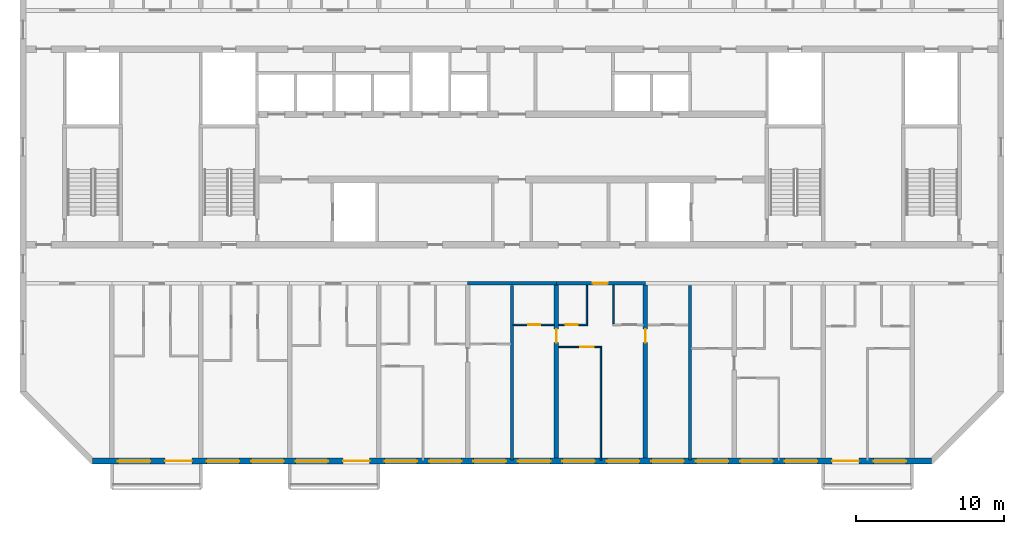
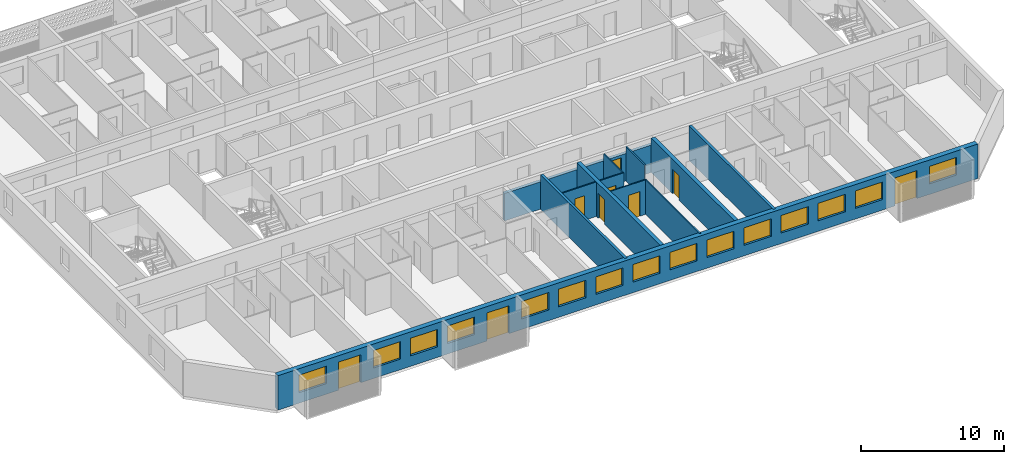
# One storey, part 4 of 26: 15 windows, 13 walls, 9 doors, 24 openings.
"""IFC4 building model written with IfcOpenShell, lengths in metres."""

import ifcopenshell
import ifcopenshell.guid

model = None  # the IFC model being written
_history = None  # IfcOwnerHistory: only IFC2X3 demands one
_inside = {}  # id of a spatial element -> (the spatial element, [elements in it])
_under = {}  # id of a project, library or spatial element -> (it, [spatial elements below it])
_declared = {}  # id of a project -> (the project, [libraries it declares])
_typed = {}  # id of a type object -> (the type object, [elements of that type])
_made_of = {}  # id of a material, layer set ... -> (it, [elements and type objects made of it])


def new_model(schema):
    """Start an empty IFC model of exactly this schema.

    Asked for "IFC4X3", IfcOpenShell would pick the latest addendum, in which some entities
    have other attributes; the version numbers below select the first issue.
    IFC2X3 requires an IfcOwnerHistory on every rooted entity: one is made here for all.
    """
    global model, _history
    if schema == "IFC4X3":
        model = ifcopenshell.file(schema_version=(4, 3, 0, 0))
    else:
        model = ifcopenshell.file(schema=schema)
    _inside.clear()
    _under.clear()
    _declared.clear()
    _typed.clear()
    _made_of.clear()
    _history = None
    if model.schema == "IFC2X3":
        org = make("IfcOrganization", Name="unknown")
        user = make(
            "IfcPersonAndOrganization",
            ThePerson=make("IfcPerson", FamilyName="unknown"),
            TheOrganization=org,
        )
        app = make(
            "IfcApplication",
            ApplicationDeveloper=org,
            Version="unknown",
            ApplicationFullName="unknown",
            ApplicationIdentifier="unknown",
        )
        _history = make(
            "IfcOwnerHistory",
            OwningUser=user,
            OwningApplication=app,
            ChangeAction="ADDED",
            CreationDate=0,
        )
    return model


def make(cls, **values):
    """One entity of the class cls with the attributes given. An attribute that is None is left unset."""
    return model.create_entity(
        cls, **{name: value for name, value in values.items() if value is not None}
    )


def rooted(cls, **values):
    """An entity with a GlobalId (a new one), such as an element, a storey or a relation."""
    return make(cls, GlobalId=ifcopenshell.guid.new(), OwnerHistory=_history, **values)


def si_unit(unit_type, name, prefix=None):
    """IfcSIUnit, for example si_unit("LENGTHUNIT", "METRE", prefix="MILLI")."""
    return make("IfcSIUnit", UnitType=unit_type, Prefix=prefix, Name=name)


def assignment(units):
    """IfcUnitAssignment: the units of a project."""
    return None if units is None else make("IfcUnitAssignment", Units=units)


def point(xyz):
    """IfcCartesianPoint."""
    return None if xyz is None else make("IfcCartesianPoint", Coordinates=xyz)


def direction(xyz):
    """IfcDirection."""
    return None if xyz is None else make("IfcDirection", DirectionRatios=xyz)


def frame(location, z_axis=None, x_axis=None):
    """IfcAxis2Placement3D, a coordinate frame: its origin and axes. An axis left out is left unset."""
    return make(
        "IfcAxis2Placement3D",
        Location=point(location),
        Axis=direction(z_axis),
        RefDirection=direction(x_axis),
    )


def frame_2d(location, x_axis=None):
    """IfcAxis2Placement2D, a coordinate frame in the plane: its origin and x axis."""
    return make(
        "IfcAxis2Placement2D", Location=point(location), RefDirection=direction(x_axis)
    )


def origin():
    """The frame at (0, 0, 0) with its axes left unset."""
    return frame((0.0, 0.0, 0.0))


def place(relative_to, where):
    """IfcLocalPlacement: puts the frame where relative to a parent placement (None: the world)."""
    return make(
        "IfcLocalPlacement", PlacementRelTo=relative_to, RelativePlacement=where
    )


def context(
    kind, dimensions, precision=None, world=None, true_north=None, identifier=None
):
    """IfcGeometricRepresentationContext, for example the 3D "Model" context."""
    return make(
        "IfcGeometricRepresentationContext",
        ContextIdentifier=identifier,
        ContextType=kind,
        CoordinateSpaceDimension=dimensions,
        Precision=precision,
        WorldCoordinateSystem=world,
        TrueNorth=true_north,
    )


def subcontext(parent, identifier, kind, view, scale=None):
    """IfcGeometricRepresentationSubContext, for example "Body" below "Model"."""
    return make(
        "IfcGeometricRepresentationSubContext",
        ContextIdentifier=identifier,
        ContextType=kind,
        ParentContext=parent,
        TargetScale=scale,
        TargetView=view,
    )


def project(units=None, contexts=None):
    """IfcProject with its units and contexts."""
    return rooted(
        "IfcProject",
        Name="project",
        RepresentationContexts=contexts,
        UnitsInContext=assignment(units),
    )


def spatial(cls, under=None, at=None, **own):
    """A site, building, storey or space (cls), placed at a placement, below another one or the project."""
    s = rooted(cls, ObjectPlacement=at, **own)
    if under is not None:
        _under.setdefault(under.id(), (under, []))[1].append(s)
    return s


def profile(cls, at=None, kind="AREA", **sizes):
    """A parametric profile (cls). Its sizes go by their IFC names, for example OverallWidth=200.0."""
    return make(cls, ProfileType=kind, Position=at, **sizes)


def rectangle(**sizes):
    """IfcRectangleProfileDef."""
    return profile("IfcRectangleProfileDef", **sizes)


def extrude(swept, where, along, depth):
    """IfcExtrudedAreaSolid: the profile swept, set in the frame where, extruded along a direction by depth."""
    return make(
        "IfcExtrudedAreaSolid",
        SweptArea=swept,
        Position=where,
        ExtrudedDirection=direction(along),
        Depth=depth,
    )


def shape(context_of_items, identifier, shape_type, items):
    """IfcShapeRepresentation: the items that make up one representation, for example the "Body"."""
    return make(
        "IfcShapeRepresentation",
        ContextOfItems=context_of_items,
        RepresentationIdentifier=identifier,
        RepresentationType=shape_type,
        Items=items,
    )


def material(Name=None, Category=None):
    """IfcMaterial."""
    return make("IfcMaterial", Name=Name, Category=Category)


def layer(
    of_material, thickness, ventilated=None, Name=None, Category=None, Priority=None
):
    """IfcMaterialLayer: one layer of a wall or slab, of a material (None: an air gap)."""
    return make(
        "IfcMaterialLayer",
        Material=of_material,
        LayerThickness=thickness,
        IsVentilated=ventilated,
        Name=Name,
        Category=Category,
        Priority=Priority,
    )


def layer_set(layers, Name=None):
    """IfcMaterialLayerSet."""
    return make("IfcMaterialLayerSet", MaterialLayers=layers, LayerSetName=Name)


def made_of(thing, what):
    """Note that an element or type object is made of a material, layer set ...; save() writes the relation."""
    if what is not None:
        _made_of.setdefault(what.id(), (what, []))[1].append(thing)
    return thing


def type_object(cls, material=None, **own):
    """A type object (cls), such as IfcWallType, which elements share."""
    return made_of(rooted(cls, **own), material)


def element(
    cls,
    number,
    at=None,
    inside=None,
    cuts=None,
    type_object=None,
    material=None,
    context=None,
    identifier="Body",
    shape_type=None,
    held_by="IfcProductDefinitionShape",
    body=None,
    shapes=None,
    **own,
):
    """One element of the class cls, such as IfcWall. Its Tag is "e" and its number.

    at: its placement. inside: the storey or other place that contains it. cuts: it is an
    opening in that element (IfcRelVoidsElement). A single representation is given by context,
    identifier, shape_type and body (its items); several are given by shapes. held_by: the class
    of the entity that holds the representations. save() writes the other relations.
    """
    e = rooted(cls, Tag="e%d" % number, ObjectPlacement=at, **own)
    if body is not None:
        shapes = [shape(context, identifier, shape_type, body)]
    if shapes is not None:
        e.Representation = make(held_by, Representations=shapes)
    if inside is not None:
        _inside.setdefault(inside.id(), (inside, []))[1].append(e)
    if cuts is not None:
        rooted(
            "IfcRelVoidsElement", RelatingBuildingElement=cuts, RelatedOpeningElement=e
        )
    if type_object is not None:
        _typed.setdefault(type_object.id(), (type_object, []))[1].append(e)
    return made_of(e, material)


def fill(opening, filler):
    """IfcRelFillsElement: the door or window that sits in an opening."""
    return rooted(
        "IfcRelFillsElement",
        RelatingOpeningElement=opening,
        RelatedBuildingElement=filler,
    )


def aggregate(whole, parts):
    """IfcRelAggregates: a whole, such as a stair, and the parts it consists of."""
    return rooted("IfcRelAggregates", RelatingObject=whole, RelatedObjects=parts)


def save(model, path):
    """Write the relations noted so far, then the file.

    IfcRelAggregates (storeys below a building ...), IfcRelContainedInSpatialStructure (elements
    in a storey), IfcRelDefinesByType, IfcRelAssociatesMaterial and IfcRelDeclares: one each for
    every whole, place, type object, material and project.
    """
    for whole, parts in _under.values():
        aggregate(whole, parts)
    for where, things in _inside.values():
        rooted(
            "IfcRelContainedInSpatialStructure",
            RelatedElements=things,
            RelatingStructure=where,
        )
    for kind, things in _typed.values():
        rooted("IfcRelDefinesByType", RelatedObjects=things, RelatingType=kind)
    for what, things in _made_of.values():
        rooted("IfcRelAssociatesMaterial", RelatedObjects=things, RelatingMaterial=what)
    for by, libraries in _declared.values():
        rooted("IfcRelDeclares", RelatingContext=by, RelatedDefinitions=libraries)
    model.write(path)


model = new_model("IFC4")

# Units and contexts
model_context = context("Model", 3, precision=1e-05, world=origin(), true_north=direction((0.0, 1.0)))
body_context = subcontext(model_context, "Body", "Model", "MODEL_VIEW")
ifc_project = project(units=[si_unit("LENGTHUNIT", "METRE"), si_unit("AREAUNIT", "SQUARE_METRE"), si_unit("VOLUMEUNIT", "CUBIC_METRE"), si_unit("PLANEANGLEUNIT", "RADIAN"), si_unit("MASSUNIT", "GRAM", prefix="KILO")], contexts=[model_context])

# Site, building, storey
site_placement = place(None, origin())
site = spatial("IfcSite", under=ifc_project, at=site_placement, CompositionType="ELEMENT")
building_placement = place(site_placement, origin())
building = spatial("IfcBuilding", under=site, at=building_placement, Name="Poui Terraces", CompositionType="ELEMENT")
storey_placement = place(building_placement, frame((0.0, 0.0, 162.0)))
storey = spatial("IfcBuildingStorey", under=building, at=storey_placement, Name="L45", CompositionType="ELEMENT", Elevation=162.0)

# Wall
ifc_material_1 = material(Name="Concrete 65 MPa", Category="concrete")
ifc_layer_1 = layer(ifc_material_1, 0.25)
ifc_layer_set_1 = layer_set([ifc_layer_1], Name="Concrete 65 MPa")
wall_type_1 = type_object("IfcWallType", Name="CORRIDOR WALL 250 65MPa", PredefinedType="SHEAR", material=ifc_layer_set_1)
wall_1_placement = place(storey_placement, frame((48.0, 12.0, 0.0), z_axis=(0.0, 0.0, 1.0), x_axis=(1.0, 0.0, 0.0)))
element("IfcWall", 1, at=wall_1_placement, inside=storey, type_object=wall_type_1, Name="CORRIDOR WALL LINE B BAY 6", PredefinedType="SHEAR", context=body_context, shape_type="SweptSolid", body=[
    extrude(rectangle(XDim=6.0, YDim=0.25, at=frame_2d((3.0, 0.0))), origin(), (0.0, 0.0, 1.0), 2.35009765625),
])

# Wall, opening, door
wall_2_placement = place(storey_placement, frame((54.0, 12.0, 0.0), z_axis=(0.0, 0.0, 1.0), x_axis=(1.0, 0.0, 0.0)))
wall_2 = element("IfcWall", 2, at=wall_2_placement, inside=storey, type_object=wall_type_1, Name="CORRIDOR WALL LINE B BAY 7", PredefinedType="SHEAR", context=body_context, shape_type="SweptSolid", body=[
    extrude(rectangle(XDim=6.0, YDim=0.25, at=frame_2d((3.0, 0.0))), origin(), (0.0, 0.0, 1.0), 2.35009765625),
])
opening_1_placement = place(wall_2_placement, frame((2.449951171875, 0.0, 0.0)))
opening_1 = element("IfcOpeningElement", 3, at=opening_1_placement, cuts=wall_2, Name="Opening FD30S", PredefinedType="OPENING", context=body_context, shape_type="SweptSolid", body=[
    extrude(rectangle(XDim=1.0, YDim=2.10009765625, at=frame_2d((0.5, 1.050048828125))), frame((0.0, 0.135009765625, 0.0), z_axis=(0.0, -1.0, 0.0), x_axis=(1.0, 0.0, 0.0)), (0.0, 0.0, 1.0), 0.27001953125),
])
ifc_material_2 = material(Name="Steel fire door", Category="steel")
door_type_1 = type_object("IfcDoorType", Name="FLAT ENTRANCE DOOR 1000 X 2100", OperationType="NOTDEFINED", PredefinedType="DOOR", material=ifc_material_2)
door_1_placement = place(opening_1_placement, frame((1.0, 0.0, 0.0), z_axis=(0.0, 0.0, 1.0), x_axis=(-1.0, 0.0, 0.0)))
door_1 = element("IfcDoor", 4, at=door_1_placement, inside=storey, type_object=door_type_1, Name="FLAT ENTRANCE DOOR 081", OperationType="SINGLE_SWING_RIGHT", OverallHeight=2.10009765625, OverallWidth=1.0, PredefinedType="DOOR", context=body_context, shape_type="SweptSolid", body=[
    extrude(rectangle(XDim=1.0, YDim=2.10009765625, at=frame_2d((0.5, 1.050048828125))), frame((0.0, 0.02490234375, 0.0), z_axis=(0.0, -1.0, 0.0), x_axis=(1.0, 0.0, 0.0)), (0.0, 0.0, 1.0), 0.050048828125),
])
fill(opening_1, door_1)

ifc_layer_2 = layer(ifc_material_1, 0.300048828125)
ifc_layer_set_2 = layer_set([ifc_layer_2], Name="Concrete 65 MPa")
wall_type_2 = type_object("IfcWallType", Name="CROSS WALL 300 65MPa", PredefinedType="SHEAR", material=ifc_layer_set_2)
wall_3_placement = place(storey_placement, frame((54.0, 0.199951171875, 0.0), z_axis=(0.0, 0.0, 1.0), x_axis=(0.0, 1.0, 0.0)))
wall_3 = element("IfcWall", 5, at=wall_3_placement, inside=storey, type_object=wall_type_2, Name="CROSS WALL LINE 10 SOUTH", PredefinedType="SHEAR", context=body_context, shape_type="SweptSolid", body=[
    extrude(rectangle(XDim=11.675048828125, YDim=0.300048828125, at=frame_2d((5.83740234375, 0.0))), origin(), (0.0, 0.0, 1.0), 2.949951171875),
])
opening_2_placement = place(wall_3_placement, frame((7.800048828125, 0.0, 0.0)))
opening_2 = element("IfcOpeningElement", 6, at=opening_2_placement, cuts=wall_3, Name="Opening D90", PredefinedType="OPENING", context=body_context, shape_type="SweptSolid", body=[
    extrude(rectangle(XDim=0.89990234375, YDim=2.10009765625, at=frame_2d((0.449951171875, 1.050048828125))), frame((0.0, 0.16015625, 0.0), z_axis=(0.0, -1.0, 0.0), x_axis=(1.0, 0.0, 0.0)), (0.0, 0.0, 1.0), 0.320068359375),
])
ifc_material_3 = material(Name="Solid core timber door", Category="wood")
door_type_2 = type_object("IfcDoorType", Name="INTERNAL DOOR 900 X 2100", OperationType="NOTDEFINED", PredefinedType="DOOR", material=ifc_material_3)
door_2_placement = place(opening_2_placement, origin())
door_2 = element("IfcDoor", 7, at=door_2_placement, inside=storey, type_object=door_type_2, Name="INTERNAL DOOR 078", OperationType="SINGLE_SWING_RIGHT", OverallHeight=2.10009765625, OverallWidth=0.89990234375, PredefinedType="DOOR", context=body_context, shape_type="SweptSolid", body=[
    extrude(rectangle(XDim=0.89990234375, YDim=2.10009765625, at=frame_2d((0.449951171875, 1.050048828125))), frame((0.0, 0.02490234375, 0.0), z_axis=(0.0, -1.0, 0.0), x_axis=(1.0, 0.0, 0.0)), (0.0, 0.0, 1.0), 0.050048828125),
])
fill(opening_2, door_2)

wall_4_placement = place(storey_placement, frame((60.0, 0.199951171875, 0.0), z_axis=(0.0, 0.0, 1.0), x_axis=(0.0, 1.0, 0.0)))
wall_4 = element("IfcWall", 8, at=wall_4_placement, inside=storey, type_object=wall_type_2, Name="CROSS WALL LINE 11 SOUTH", PredefinedType="SHEAR", context=body_context, shape_type="SweptSolid", body=[
    extrude(rectangle(XDim=11.675048828125, YDim=0.300048828125, at=frame_2d((5.83740234375, 0.0))), origin(), (0.0, 0.0, 1.0), 2.949951171875),
])
opening_3_placement = place(wall_4_placement, frame((7.800048828125, 0.0, 0.0)))
opening_3 = element("IfcOpeningElement", 9, at=opening_3_placement, cuts=wall_4, Name="Opening D90", PredefinedType="OPENING", context=body_context, shape_type="SweptSolid", body=[
    extrude(rectangle(XDim=0.89990234375, YDim=2.10009765625, at=frame_2d((0.449951171875, 1.050048828125))), frame((0.0, 0.16015625, 0.0), z_axis=(0.0, -1.0, 0.0), x_axis=(1.0, 0.0, 0.0)), (0.0, 0.0, 1.0), 0.320068359375),
])
door_3_placement = place(opening_3_placement, frame((0.89990234375, 0.0, 0.0), z_axis=(0.0, 0.0, 1.0), x_axis=(-1.0, 0.0, 0.0)))
door_3 = element("IfcDoor", 10, at=door_3_placement, inside=storey, type_object=door_type_2, Name="INTERNAL DOOR 083", OperationType="SINGLE_SWING_LEFT", OverallHeight=2.10009765625, OverallWidth=0.89990234375, PredefinedType="DOOR", context=body_context, shape_type="SweptSolid", body=[
    extrude(rectangle(XDim=0.89990234375, YDim=2.10009765625, at=frame_2d((0.449951171875, 1.050048828125))), frame((0.0, 0.02490234375, 0.0), z_axis=(0.0, -1.0, 0.0), x_axis=(1.0, 0.0, 0.0)), (0.0, 0.0, 1.0), 0.050048828125),
])
fill(opening_3, door_3)

# Wall, openings, doors, windows
ifc_material_4 = material(Name="Precast concrete 40 MPa", Category="concrete")
ifc_layer_3 = layer(ifc_material_4, 0.39990234375)
ifc_layer_set_3 = layer_set([ifc_layer_3], Name="Precast concrete 40 MPa")
wall_type_3 = type_object("IfcWallType", Name="EXTERNAL WALL 400", PredefinedType="STANDARD", material=ifc_layer_set_3)
wall_5_placement = place(storey_placement, frame((22.682861328125, 0.0, 0.0), z_axis=(0.0, 0.0, 1.0), x_axis=(1.0, 0.0, 0.0)))
wall_5 = element("IfcWall", 11, at=wall_5_placement, inside=storey, type_object=wall_type_3, Name="EXTERNAL WALL S", PredefinedType="STANDARD", context=body_context, shape_type="SweptSolid", body=[
    extrude(rectangle(XDim=56.63427734375, YDim=0.39990234375, at=frame_2d((28.317138671875, 0.0))), origin(), (0.0, 0.0, 1.0), 2.949951171875),
])
opening_4_placement = place(wall_5_placement, frame((1.71728515625, 0.0, 0.89990234375)))
opening_4 = element("IfcOpeningElement", 12, at=opening_4_placement, cuts=wall_5, Name="Opening W1", PredefinedType="OPENING", context=body_context, shape_type="SweptSolid", body=[
    extrude(rectangle(XDim=2.199951171875, YDim=1.5, at=frame_2d((1.10009765625, 0.75))), frame((0.0, 0.2099609375, 0.0), z_axis=(0.0, -1.0, 0.0), x_axis=(1.0, 0.0, 0.0)), (0.0, 0.0, 1.0), 0.419921875),
])
opening_5_placement = place(wall_5_placement, frame((4.917236328125, 0.0, 0.0)))
opening_5 = element("IfcOpeningElement", 13, at=opening_5_placement, cuts=wall_5, Name="Opening BD1", PredefinedType="OPENING", context=body_context, shape_type="SweptSolid", body=[
    extrude(rectangle(XDim=1.800048828125, YDim=2.39990234375, at=frame_2d((0.89990234375, 1.199951171875))), frame((0.0, 0.2099609375, 0.0), z_axis=(0.0, -1.0, 0.0), x_axis=(1.0, 0.0, 0.0)), (0.0, 0.0, 1.0), 0.419921875),
])
opening_6_placement = place(wall_5_placement, frame((7.71728515625, 0.0, 0.89990234375)))
opening_6 = element("IfcOpeningElement", 14, at=opening_6_placement, cuts=wall_5, Name="Opening W1", PredefinedType="OPENING", context=body_context, shape_type="SweptSolid", body=[
    extrude(rectangle(XDim=2.199951171875, YDim=1.5, at=frame_2d((1.10009765625, 0.75))), frame((0.0, 0.2099609375, 0.0), z_axis=(0.0, -1.0, 0.0), x_axis=(1.0, 0.0, 0.0)), (0.0, 0.0, 1.0), 0.419921875),
])
opening_7_placement = place(wall_5_placement, frame((10.71728515625, 0.0, 0.89990234375)))
opening_7 = element("IfcOpeningElement", 15, at=opening_7_placement, cuts=wall_5, Name="Opening W1", PredefinedType="OPENING", context=body_context, shape_type="SweptSolid", body=[
    extrude(rectangle(XDim=2.199951171875, YDim=1.5, at=frame_2d((1.10009765625, 0.75))), frame((0.0, 0.2099609375, 0.0), z_axis=(0.0, -1.0, 0.0), x_axis=(1.0, 0.0, 0.0)), (0.0, 0.0, 1.0), 0.419921875),
])
opening_8_placement = place(wall_5_placement, frame((13.71728515625, 0.0, 0.89990234375)))
opening_8 = element("IfcOpeningElement", 16, at=opening_8_placement, cuts=wall_5, Name="Opening W1", PredefinedType="OPENING", context=body_context, shape_type="SweptSolid", body=[
    extrude(rectangle(XDim=2.199951171875, YDim=1.5, at=frame_2d((1.10009765625, 0.75))), frame((0.0, 0.2099609375, 0.0), z_axis=(0.0, -1.0, 0.0), x_axis=(1.0, 0.0, 0.0)), (0.0, 0.0, 1.0), 0.419921875),
])
opening_9_placement = place(wall_5_placement, frame((16.917236328125, 0.0, 0.0)))
opening_9 = element("IfcOpeningElement", 17, at=opening_9_placement, cuts=wall_5, Name="Opening BD1", PredefinedType="OPENING", context=body_context, shape_type="SweptSolid", body=[
    extrude(rectangle(XDim=1.800048828125, YDim=2.39990234375, at=frame_2d((0.89990234375, 1.199951171875))), frame((0.0, 0.2099609375, 0.0), z_axis=(0.0, -1.0, 0.0), x_axis=(1.0, 0.0, 0.0)), (0.0, 0.0, 1.0), 0.419921875),
])
opening_10_placement = place(wall_5_placement, frame((19.71728515625, 0.0, 0.89990234375)))
opening_10 = element("IfcOpeningElement", 18, at=opening_10_placement, cuts=wall_5, Name="Opening W1", PredefinedType="OPENING", context=body_context, shape_type="SweptSolid", body=[
    extrude(rectangle(XDim=2.199951171875, YDim=1.5, at=frame_2d((1.10009765625, 0.75))), frame((0.0, 0.2099609375, 0.0), z_axis=(0.0, -1.0, 0.0), x_axis=(1.0, 0.0, 0.0)), (0.0, 0.0, 1.0), 0.419921875),
])
opening_11_placement = place(wall_5_placement, frame((22.71728515625, 0.0, 0.89990234375)))
opening_11 = element("IfcOpeningElement", 19, at=opening_11_placement, cuts=wall_5, Name="Opening W1", PredefinedType="OPENING", context=body_context, shape_type="SweptSolid", body=[
    extrude(rectangle(XDim=2.199951171875, YDim=1.5, at=frame_2d((1.10009765625, 0.75))), frame((0.0, 0.2099609375, 0.0), z_axis=(0.0, -1.0, 0.0), x_axis=(1.0, 0.0, 0.0)), (0.0, 0.0, 1.0), 0.419921875),
])
opening_12_placement = place(wall_5_placement, frame((25.71728515625, 0.0, 0.89990234375)))
opening_12 = element("IfcOpeningElement", 20, at=opening_12_placement, cuts=wall_5, Name="Opening W1", PredefinedType="OPENING", context=body_context, shape_type="SweptSolid", body=[
    extrude(rectangle(XDim=2.199951171875, YDim=1.5, at=frame_2d((1.10009765625, 0.75))), frame((0.0, 0.2099609375, 0.0), z_axis=(0.0, -1.0, 0.0), x_axis=(1.0, 0.0, 0.0)), (0.0, 0.0, 1.0), 0.419921875),
])
opening_13_placement = place(wall_5_placement, frame((28.71728515625, 0.0, 0.89990234375)))
opening_13 = element("IfcOpeningElement", 21, at=opening_13_placement, cuts=wall_5, Name="Opening W1", PredefinedType="OPENING", context=body_context, shape_type="SweptSolid", body=[
    extrude(rectangle(XDim=2.199951171875, YDim=1.5, at=frame_2d((1.10009765625, 0.75))), frame((0.0, 0.2099609375, 0.0), z_axis=(0.0, -1.0, 0.0), x_axis=(1.0, 0.0, 0.0)), (0.0, 0.0, 1.0), 0.419921875),
])
opening_14_placement = place(wall_5_placement, frame((31.71728515625, 0.0, 0.89990234375)))
opening_14 = element("IfcOpeningElement", 22, at=opening_14_placement, cuts=wall_5, Name="Opening W1", PredefinedType="OPENING", context=body_context, shape_type="SweptSolid", body=[
    extrude(rectangle(XDim=2.199951171875, YDim=1.5, at=frame_2d((1.10009765625, 0.75))), frame((0.0, 0.2099609375, 0.0), z_axis=(0.0, -1.0, 0.0), x_axis=(1.0, 0.0, 0.0)), (0.0, 0.0, 1.0), 0.419921875),
])
opening_15_placement = place(wall_5_placement, frame((34.71728515625, 0.0, 0.89990234375)))
opening_15 = element("IfcOpeningElement", 23, at=opening_15_placement, cuts=wall_5, Name="Opening W1", PredefinedType="OPENING", context=body_context, shape_type="SweptSolid", body=[
    extrude(rectangle(XDim=2.199951171875, YDim=1.5, at=frame_2d((1.10009765625, 0.75))), frame((0.0, 0.2099609375, 0.0), z_axis=(0.0, -1.0, 0.0), x_axis=(1.0, 0.0, 0.0)), (0.0, 0.0, 1.0), 0.419921875),
])
opening_16_placement = place(wall_5_placement, frame((37.71728515625, 0.0, 0.89990234375)))
opening_16 = element("IfcOpeningElement", 24, at=opening_16_placement, cuts=wall_5, Name="Opening W1", PredefinedType="OPENING", context=body_context, shape_type="SweptSolid", body=[
    extrude(rectangle(XDim=2.199951171875, YDim=1.5, at=frame_2d((1.10009765625, 0.75))), frame((0.0, 0.2099609375, 0.0), z_axis=(0.0, -1.0, 0.0), x_axis=(1.0, 0.0, 0.0)), (0.0, 0.0, 1.0), 0.419921875),
])
opening_17_placement = place(wall_5_placement, frame((40.71728515625, 0.0, 0.89990234375)))
opening_17 = element("IfcOpeningElement", 25, at=opening_17_placement, cuts=wall_5, Name="Opening W1", PredefinedType="OPENING", context=body_context, shape_type="SweptSolid", body=[
    extrude(rectangle(XDim=2.199951171875, YDim=1.5, at=frame_2d((1.10009765625, 0.75))), frame((0.0, 0.2099609375, 0.0), z_axis=(0.0, -1.0, 0.0), x_axis=(1.0, 0.0, 0.0)), (0.0, 0.0, 1.0), 0.419921875),
])
opening_18_placement = place(wall_5_placement, frame((43.71728515625, 0.0, 0.89990234375)))
opening_18 = element("IfcOpeningElement", 26, at=opening_18_placement, cuts=wall_5, Name="Opening W1", PredefinedType="OPENING", context=body_context, shape_type="SweptSolid", body=[
    extrude(rectangle(XDim=2.199951171875, YDim=1.5, at=frame_2d((1.10009765625, 0.75))), frame((0.0, 0.2099609375, 0.0), z_axis=(0.0, -1.0, 0.0), x_axis=(1.0, 0.0, 0.0)), (0.0, 0.0, 1.0), 0.419921875),
])
opening_19_placement = place(wall_5_placement, frame((46.71728515625, 0.0, 0.89990234375)))
opening_19 = element("IfcOpeningElement", 27, at=opening_19_placement, cuts=wall_5, Name="Opening W1", PredefinedType="OPENING", context=body_context, shape_type="SweptSolid", body=[
    extrude(rectangle(XDim=2.199951171875, YDim=1.5, at=frame_2d((1.10009765625, 0.75))), frame((0.0, 0.2099609375, 0.0), z_axis=(0.0, -1.0, 0.0), x_axis=(1.0, 0.0, 0.0)), (0.0, 0.0, 1.0), 0.419921875),
])
opening_20_placement = place(wall_5_placement, frame((49.917236328125, 0.0, 0.0)))
opening_20 = element("IfcOpeningElement", 28, at=opening_20_placement, cuts=wall_5, Name="Opening BD1", PredefinedType="OPENING", context=body_context, shape_type="SweptSolid", body=[
    extrude(rectangle(XDim=1.800048828125, YDim=2.39990234375, at=frame_2d((0.89990234375, 1.199951171875))), frame((0.0, 0.2099609375, 0.0), z_axis=(0.0, -1.0, 0.0), x_axis=(1.0, 0.0, 0.0)), (0.0, 0.0, 1.0), 0.419921875),
])
opening_21_placement = place(wall_5_placement, frame((52.71728515625, 0.0, 0.89990234375)))
opening_21 = element("IfcOpeningElement", 29, at=opening_21_placement, cuts=wall_5, Name="Opening W1", PredefinedType="OPENING", context=body_context, shape_type="SweptSolid", body=[
    extrude(rectangle(XDim=2.199951171875, YDim=1.5, at=frame_2d((1.10009765625, 0.75))), frame((0.0, 0.2099609375, 0.0), z_axis=(0.0, -1.0, 0.0), x_axis=(1.0, 0.0, 0.0)), (0.0, 0.0, 1.0), 0.419921875),
])
ifc_material_5 = material(Name="Clear glass in aluminium frame", Category="aluminium")
door_type_3 = type_object("IfcDoorType", Name="BALCONY DOOR 1800X2400", OperationType="DOUBLE_DOOR_SLIDING", PredefinedType="DOOR", material=ifc_material_5)
door_4_placement = place(opening_5_placement, origin())
door_4 = element("IfcDoor", 30, at=door_4_placement, inside=storey, type_object=door_type_3, Name="BD1 BALCONY DOOR", OperationType="DOUBLE_DOOR_SLIDING", OverallHeight=2.39990234375, OverallWidth=1.800048828125, PredefinedType="DOOR", context=body_context, shape_type="SweptSolid", body=[
    extrude(rectangle(XDim=1.800048828125, YDim=2.39990234375, at=frame_2d((0.89990234375, 1.199951171875))), frame((0.0, 0.02490234375, 0.0), z_axis=(0.0, -1.0, 0.0), x_axis=(1.0, 0.0, 0.0)), (0.0, 0.0, 1.0), 0.050048828125),
])
fill(opening_5, door_4)
door_5_placement = place(opening_9_placement, origin())
door_5 = element("IfcDoor", 31, at=door_5_placement, inside=storey, type_object=door_type_3, Name="BD1 BALCONY DOOR", OperationType="DOUBLE_DOOR_SLIDING", OverallHeight=2.39990234375, OverallWidth=1.800048828125, PredefinedType="DOOR", context=body_context, shape_type="SweptSolid", body=[
    extrude(rectangle(XDim=1.800048828125, YDim=2.39990234375, at=frame_2d((0.89990234375, 1.199951171875))), frame((0.0, 0.02490234375, 0.0), z_axis=(0.0, -1.0, 0.0), x_axis=(1.0, 0.0, 0.0)), (0.0, 0.0, 1.0), 0.050048828125),
])
fill(opening_9, door_5)
door_6_placement = place(opening_20_placement, origin())
door_6 = element("IfcDoor", 32, at=door_6_placement, inside=storey, type_object=door_type_3, Name="BD1 BALCONY DOOR", OperationType="DOUBLE_DOOR_SLIDING", OverallHeight=2.39990234375, OverallWidth=1.800048828125, PredefinedType="DOOR", context=body_context, shape_type="SweptSolid", body=[
    extrude(rectangle(XDim=1.800048828125, YDim=2.39990234375, at=frame_2d((0.89990234375, 1.199951171875))), frame((0.0, 0.02490234375, 0.0), z_axis=(0.0, -1.0, 0.0), x_axis=(1.0, 0.0, 0.0)), (0.0, 0.0, 1.0), 0.050048828125),
])
fill(opening_20, door_6)
window_type = type_object("IfcWindowType", Name="WINDOW 2200X1500", PartitioningType="DOUBLE_PANEL_HORIZONTAL", PredefinedType="WINDOW", material=ifc_material_5)
window_1_placement = place(opening_4_placement, origin())
window_1 = element("IfcWindow", 33, at=window_1_placement, inside=storey, type_object=window_type, Name="W1 WINDOW", OverallHeight=1.5, OverallWidth=2.199951171875, PartitioningType="DOUBLE_PANEL_HORIZONTAL", PredefinedType="WINDOW", context=body_context, shape_type="SweptSolid", body=[
    extrude(rectangle(XDim=2.199951171875, YDim=1.5, at=frame_2d((1.10009765625, 0.75))), frame((0.0, 0.030029296875, 0.0), z_axis=(0.0, -1.0, 0.0), x_axis=(1.0, 0.0, 0.0)), (0.0, 0.0, 1.0), 0.06005859375),
])
fill(opening_4, window_1)
window_2_placement = place(opening_6_placement, origin())
window_2 = element("IfcWindow", 34, at=window_2_placement, inside=storey, type_object=window_type, Name="W1 WINDOW", OverallHeight=1.5, OverallWidth=2.199951171875, PartitioningType="DOUBLE_PANEL_HORIZONTAL", PredefinedType="WINDOW", context=body_context, shape_type="SweptSolid", body=[
    extrude(rectangle(XDim=2.199951171875, YDim=1.5, at=frame_2d((1.10009765625, 0.75))), frame((0.0, 0.030029296875, 0.0), z_axis=(0.0, -1.0, 0.0), x_axis=(1.0, 0.0, 0.0)), (0.0, 0.0, 1.0), 0.06005859375),
])
fill(opening_6, window_2)
window_3_placement = place(opening_7_placement, origin())
window_3 = element("IfcWindow", 35, at=window_3_placement, inside=storey, type_object=window_type, Name="W1 WINDOW", OverallHeight=1.5, OverallWidth=2.199951171875, PartitioningType="DOUBLE_PANEL_HORIZONTAL", PredefinedType="WINDOW", context=body_context, shape_type="SweptSolid", body=[
    extrude(rectangle(XDim=2.199951171875, YDim=1.5, at=frame_2d((1.10009765625, 0.75))), frame((0.0, 0.030029296875, 0.0), z_axis=(0.0, -1.0, 0.0), x_axis=(1.0, 0.0, 0.0)), (0.0, 0.0, 1.0), 0.06005859375),
])
fill(opening_7, window_3)
window_4_placement = place(opening_8_placement, origin())
window_4 = element("IfcWindow", 36, at=window_4_placement, inside=storey, type_object=window_type, Name="W1 WINDOW", OverallHeight=1.5, OverallWidth=2.199951171875, PartitioningType="DOUBLE_PANEL_HORIZONTAL", PredefinedType="WINDOW", context=body_context, shape_type="SweptSolid", body=[
    extrude(rectangle(XDim=2.199951171875, YDim=1.5, at=frame_2d((1.10009765625, 0.75))), frame((0.0, 0.030029296875, 0.0), z_axis=(0.0, -1.0, 0.0), x_axis=(1.0, 0.0, 0.0)), (0.0, 0.0, 1.0), 0.06005859375),
])
fill(opening_8, window_4)
window_5_placement = place(opening_10_placement, origin())
window_5 = element("IfcWindow", 37, at=window_5_placement, inside=storey, type_object=window_type, Name="W1 WINDOW", OverallHeight=1.5, OverallWidth=2.199951171875, PartitioningType="DOUBLE_PANEL_HORIZONTAL", PredefinedType="WINDOW", context=body_context, shape_type="SweptSolid", body=[
    extrude(rectangle(XDim=2.199951171875, YDim=1.5, at=frame_2d((1.10009765625, 0.75))), frame((0.0, 0.030029296875, 0.0), z_axis=(0.0, -1.0, 0.0), x_axis=(1.0, 0.0, 0.0)), (0.0, 0.0, 1.0), 0.06005859375),
])
fill(opening_10, window_5)
window_6_placement = place(opening_11_placement, origin())
window_6 = element("IfcWindow", 38, at=window_6_placement, inside=storey, type_object=window_type, Name="W1 WINDOW", OverallHeight=1.5, OverallWidth=2.199951171875, PartitioningType="DOUBLE_PANEL_HORIZONTAL", PredefinedType="WINDOW", context=body_context, shape_type="SweptSolid", body=[
    extrude(rectangle(XDim=2.199951171875, YDim=1.5, at=frame_2d((1.10009765625, 0.75))), frame((0.0, 0.030029296875, 0.0), z_axis=(0.0, -1.0, 0.0), x_axis=(1.0, 0.0, 0.0)), (0.0, 0.0, 1.0), 0.06005859375),
])
fill(opening_11, window_6)
window_7_placement = place(opening_12_placement, origin())
window_7 = element("IfcWindow", 39, at=window_7_placement, inside=storey, type_object=window_type, Name="W1 WINDOW", OverallHeight=1.5, OverallWidth=2.199951171875, PartitioningType="DOUBLE_PANEL_HORIZONTAL", PredefinedType="WINDOW", context=body_context, shape_type="SweptSolid", body=[
    extrude(rectangle(XDim=2.199951171875, YDim=1.5, at=frame_2d((1.10009765625, 0.75))), frame((0.0, 0.030029296875, 0.0), z_axis=(0.0, -1.0, 0.0), x_axis=(1.0, 0.0, 0.0)), (0.0, 0.0, 1.0), 0.06005859375),
])
fill(opening_12, window_7)
window_8_placement = place(opening_13_placement, origin())
window_8 = element("IfcWindow", 40, at=window_8_placement, inside=storey, type_object=window_type, Name="W1 WINDOW", OverallHeight=1.5, OverallWidth=2.199951171875, PartitioningType="DOUBLE_PANEL_HORIZONTAL", PredefinedType="WINDOW", context=body_context, shape_type="SweptSolid", body=[
    extrude(rectangle(XDim=2.199951171875, YDim=1.5, at=frame_2d((1.10009765625, 0.75))), frame((0.0, 0.030029296875, 0.0), z_axis=(0.0, -1.0, 0.0), x_axis=(1.0, 0.0, 0.0)), (0.0, 0.0, 1.0), 0.06005859375),
])
fill(opening_13, window_8)
window_9_placement = place(opening_14_placement, origin())
window_9 = element("IfcWindow", 41, at=window_9_placement, inside=storey, type_object=window_type, Name="W1 WINDOW", OverallHeight=1.5, OverallWidth=2.199951171875, PartitioningType="DOUBLE_PANEL_HORIZONTAL", PredefinedType="WINDOW", context=body_context, shape_type="SweptSolid", body=[
    extrude(rectangle(XDim=2.199951171875, YDim=1.5, at=frame_2d((1.10009765625, 0.75))), frame((0.0, 0.030029296875, 0.0), z_axis=(0.0, -1.0, 0.0), x_axis=(1.0, 0.0, 0.0)), (0.0, 0.0, 1.0), 0.06005859375),
])
fill(opening_14, window_9)
window_10_placement = place(opening_15_placement, origin())
window_10 = element("IfcWindow", 42, at=window_10_placement, inside=storey, type_object=window_type, Name="W1 WINDOW", OverallHeight=1.5, OverallWidth=2.199951171875, PartitioningType="DOUBLE_PANEL_HORIZONTAL", PredefinedType="WINDOW", context=body_context, shape_type="SweptSolid", body=[
    extrude(rectangle(XDim=2.199951171875, YDim=1.5, at=frame_2d((1.10009765625, 0.75))), frame((0.0, 0.030029296875, 0.0), z_axis=(0.0, -1.0, 0.0), x_axis=(1.0, 0.0, 0.0)), (0.0, 0.0, 1.0), 0.06005859375),
])
fill(opening_15, window_10)
window_11_placement = place(opening_16_placement, origin())
window_11 = element("IfcWindow", 43, at=window_11_placement, inside=storey, type_object=window_type, Name="W1 WINDOW", OverallHeight=1.5, OverallWidth=2.199951171875, PartitioningType="DOUBLE_PANEL_HORIZONTAL", PredefinedType="WINDOW", context=body_context, shape_type="SweptSolid", body=[
    extrude(rectangle(XDim=2.199951171875, YDim=1.5, at=frame_2d((1.10009765625, 0.75))), frame((0.0, 0.030029296875, 0.0), z_axis=(0.0, -1.0, 0.0), x_axis=(1.0, 0.0, 0.0)), (0.0, 0.0, 1.0), 0.06005859375),
])
fill(opening_16, window_11)
window_12_placement = place(opening_17_placement, origin())
window_12 = element("IfcWindow", 44, at=window_12_placement, inside=storey, type_object=window_type, Name="W1 WINDOW", OverallHeight=1.5, OverallWidth=2.199951171875, PartitioningType="DOUBLE_PANEL_HORIZONTAL", PredefinedType="WINDOW", context=body_context, shape_type="SweptSolid", body=[
    extrude(rectangle(XDim=2.199951171875, YDim=1.5, at=frame_2d((1.10009765625, 0.75))), frame((0.0, 0.030029296875, 0.0), z_axis=(0.0, -1.0, 0.0), x_axis=(1.0, 0.0, 0.0)), (0.0, 0.0, 1.0), 0.06005859375),
])
fill(opening_17, window_12)
window_13_placement = place(opening_18_placement, origin())
window_13 = element("IfcWindow", 45, at=window_13_placement, inside=storey, type_object=window_type, Name="W1 WINDOW", OverallHeight=1.5, OverallWidth=2.199951171875, PartitioningType="DOUBLE_PANEL_HORIZONTAL", PredefinedType="WINDOW", context=body_context, shape_type="SweptSolid", body=[
    extrude(rectangle(XDim=2.199951171875, YDim=1.5, at=frame_2d((1.10009765625, 0.75))), frame((0.0, 0.030029296875, 0.0), z_axis=(0.0, -1.0, 0.0), x_axis=(1.0, 0.0, 0.0)), (0.0, 0.0, 1.0), 0.06005859375),
])
fill(opening_18, window_13)
window_14_placement = place(opening_19_placement, origin())
window_14 = element("IfcWindow", 46, at=window_14_placement, inside=storey, type_object=window_type, Name="W1 WINDOW", OverallHeight=1.5, OverallWidth=2.199951171875, PartitioningType="DOUBLE_PANEL_HORIZONTAL", PredefinedType="WINDOW", context=body_context, shape_type="SweptSolid", body=[
    extrude(rectangle(XDim=2.199951171875, YDim=1.5, at=frame_2d((1.10009765625, 0.75))), frame((0.0, 0.030029296875, 0.0), z_axis=(0.0, -1.0, 0.0), x_axis=(1.0, 0.0, 0.0)), (0.0, 0.0, 1.0), 0.06005859375),
])
fill(opening_19, window_14)
window_15_placement = place(opening_21_placement, origin())
window_15 = element("IfcWindow", 47, at=window_15_placement, inside=storey, type_object=window_type, Name="W1 WINDOW", OverallHeight=1.5, OverallWidth=2.199951171875, PartitioningType="DOUBLE_PANEL_HORIZONTAL", PredefinedType="WINDOW", context=body_context, shape_type="SweptSolid", body=[
    extrude(rectangle(XDim=2.199951171875, YDim=1.5, at=frame_2d((1.10009765625, 0.75))), frame((0.0, 0.030029296875, 0.0), z_axis=(0.0, -1.0, 0.0), x_axis=(1.0, 0.0, 0.0)), (0.0, 0.0, 1.0), 0.06005859375),
])
fill(opening_21, window_15)

# Wall, opening, door
ifc_material_6 = material(Name="Plasterboard partition")
ifc_layer_4 = layer(ifc_material_6, 0.10009765625)
ifc_layer_set_4 = layer_set([ifc_layer_4], Name="Plasterboard partition")
wall_type_4 = type_object("IfcWallType", Name="FLAT PARTITION 100", PredefinedType="PARTITIONING", material=ifc_layer_set_4)
wall_6_placement = place(storey_placement, frame((54.159912109375, 7.699951171875, 0.0), z_axis=(0.0, 0.0, 1.0), x_axis=(1.0, 0.0, 0.0)))
wall_6 = element("IfcWall", 48, at=wall_6_placement, inside=storey, type_object=wall_type_4, Name="FLAT PARTITION 100", PredefinedType="PARTITIONING", context=body_context, shape_type="SweptSolid", body=[
    extrude(rectangle(XDim=2.89013671875, YDim=0.10009765625, at=frame_2d((1.445068359375, 0.0))), origin(), (0.0, 0.0, 1.0), 2.949951171875),
])
opening_22_placement = place(wall_6_placement, frame((1.43994140625, 0.0, 0.0)))
opening_22 = element("IfcOpeningElement", 49, at=opening_22_placement, cuts=wall_6, Name="Opening D90", PredefinedType="OPENING", context=body_context, shape_type="SweptSolid", body=[
    extrude(rectangle(XDim=0.89990234375, YDim=2.10009765625, at=frame_2d((0.449951171875, 1.050048828125))), frame((0.0, 0.06005859375, 0.0), z_axis=(0.0, -1.0, 0.0), x_axis=(1.0, 0.0, 0.0)), (0.0, 0.0, 1.0), 0.1201171875),
])
door_7_placement = place(opening_22_placement, origin())
door_7 = element("IfcDoor", 50, at=door_7_placement, inside=storey, type_object=door_type_2, Name="INTERNAL DOOR 080", OperationType="SINGLE_SWING_LEFT", OverallHeight=2.10009765625, OverallWidth=0.89990234375, PredefinedType="DOOR", context=body_context, shape_type="SweptSolid", body=[
    extrude(rectangle(XDim=0.89990234375, YDim=2.10009765625, at=frame_2d((0.449951171875, 1.050048828125))), frame((0.0, 0.02490234375, 0.0), z_axis=(0.0, -1.0, 0.0), x_axis=(1.0, 0.0, 0.0)), (0.0, 0.0, 1.0), 0.050048828125),
])
fill(opening_22, door_7)

wall_7_placement = place(storey_placement, frame((51.10009765625, 9.199951171875, 0.0), z_axis=(0.0, 0.0, 1.0), x_axis=(1.0, 0.0, 0.0)))
wall_7 = element("IfcWall", 51, at=wall_7_placement, inside=storey, type_object=wall_type_4, Name="FLAT PARTITION 100", PredefinedType="PARTITIONING", context=body_context, shape_type="SweptSolid", body=[
    extrude(rectangle(XDim=2.739990234375, YDim=0.10009765625, at=frame_2d((1.3701171875, 0.0))), origin(), (0.0, 0.0, 1.0), 2.949951171875),
])
opening_23_placement = place(wall_7_placement, frame((1.0, 0.0, 0.0)))
opening_23 = element("IfcOpeningElement", 52, at=opening_23_placement, cuts=wall_7, Name="Opening D80", PredefinedType="OPENING", context=body_context, shape_type="SweptSolid", body=[
    extrude(rectangle(XDim=0.800048828125, YDim=2.10009765625, at=frame_2d((0.39990234375, 1.050048828125))), frame((0.0, 0.06005859375, 0.0), z_axis=(0.0, -1.0, 0.0), x_axis=(1.0, 0.0, 0.0)), (0.0, 0.0, 1.0), 0.1201171875),
])
door_type_4 = type_object("IfcDoorType", Name="BATHROOM, LAUNDRY AND STORE DOOR 800 X 2100", OperationType="NOTDEFINED", PredefinedType="DOOR", material=ifc_material_3)
door_8_placement = place(opening_23_placement, origin())
door_8 = element("IfcDoor", 53, at=door_8_placement, inside=storey, type_object=door_type_4, Name="BATHROOM, LAUNDRY AND STORE DOOR 076", OperationType="SINGLE_SWING_RIGHT", OverallHeight=2.10009765625, OverallWidth=0.800048828125, PredefinedType="DOOR", context=body_context, shape_type="SweptSolid", body=[
    extrude(rectangle(XDim=0.800048828125, YDim=2.10009765625, at=frame_2d((0.39990234375, 1.050048828125))), frame((0.0, 0.02490234375, 0.0), z_axis=(0.0, -1.0, 0.0), x_axis=(1.0, 0.0, 0.0)), (0.0, 0.0, 1.0), 0.050048828125),
])
fill(opening_23, door_8)

wall_8_placement = place(storey_placement, frame((54.159912109375, 9.199951171875, 0.0), z_axis=(0.0, 0.0, 1.0), x_axis=(1.0, 0.0, 0.0)))
wall_8 = element("IfcWall", 54, at=wall_8_placement, inside=storey, type_object=wall_type_4, Name="FLAT PARTITION 100", PredefinedType="PARTITIONING", context=body_context, shape_type="SweptSolid", body=[
    extrude(rectangle(XDim=1.940185546875, YDim=0.10009765625, at=frame_2d((0.97021484375, 0.0))), origin(), (0.0, 0.0, 1.0), 2.949951171875),
])
opening_24_placement = place(wall_8_placement, frame((0.465087890625, 0.0, 0.0)))
opening_24 = element("IfcOpeningElement", 55, at=opening_24_placement, cuts=wall_8, Name="Opening D80", PredefinedType="OPENING", context=body_context, shape_type="SweptSolid", body=[
    extrude(rectangle(XDim=0.800048828125, YDim=2.10009765625, at=frame_2d((0.39990234375, 1.050048828125))), frame((0.0, 0.06005859375, 0.0), z_axis=(0.0, -1.0, 0.0), x_axis=(1.0, 0.0, 0.0)), (0.0, 0.0, 1.0), 0.1201171875),
])
door_9_placement = place(opening_24_placement, origin())
door_9 = element("IfcDoor", 56, at=door_9_placement, inside=storey, type_object=door_type_4, Name="BATHROOM, LAUNDRY AND STORE DOOR 079", OperationType="SINGLE_SWING_RIGHT", OverallHeight=2.10009765625, OverallWidth=0.800048828125, PredefinedType="DOOR", context=body_context, shape_type="SweptSolid", body=[
    extrude(rectangle(XDim=0.800048828125, YDim=2.10009765625, at=frame_2d((0.39990234375, 1.050048828125))), frame((0.0, 0.02490234375, 0.0), z_axis=(0.0, -1.0, 0.0), x_axis=(1.0, 0.0, 0.0)), (0.0, 0.0, 1.0), 0.050048828125),
])
fill(opening_24, door_9)

# Walls
wall_9_placement = place(storey_placement, frame((56.050048828125, 9.25, 0.0), z_axis=(0.0, 0.0, 1.0), x_axis=(0.0, 1.0, 0.0)))
element("IfcWall", 57, at=wall_9_placement, inside=storey, type_object=wall_type_4, Name="FLAT PARTITION 100", PredefinedType="PARTITIONING", context=body_context, shape_type="SweptSolid", body=[
    extrude(rectangle(XDim=2.614990234375, YDim=0.10009765625, at=frame_2d((1.3076171875, 0.0))), origin(), (0.0, 0.0, 1.0), 2.949951171875),
])
wall_10_placement = place(storey_placement, frame((57.0, 0.06005859375, 0.0), z_axis=(0.0, 0.0, 1.0), x_axis=(0.0, 1.0, 0.0)))
element("IfcWall", 58, at=wall_10_placement, inside=storey, type_object=wall_type_4, Name="FLAT PARTITION 100", PredefinedType="PARTITIONING", context=body_context, shape_type="SweptSolid", body=[
    extrude(rectangle(XDim=7.58984375, YDim=0.10009765625, at=frame_2d((3.794921875, 0.0))), origin(), (0.0, 0.0, 1.0), 2.949951171875),
])
wall_11_placement = place(storey_placement, frame((57.85009765625, 9.25, 0.0), z_axis=(0.0, 0.0, 1.0), x_axis=(0.0, 1.0, 0.0)))
element("IfcWall", 59, at=wall_11_placement, inside=storey, type_object=wall_type_4, Name="FLAT PARTITION 100", PredefinedType="PARTITIONING", context=body_context, shape_type="SweptSolid", body=[
    extrude(rectangle(XDim=2.614990234375, YDim=0.10009765625, at=frame_2d((1.3076171875, 0.0))), origin(), (0.0, 0.0, 1.0), 2.949951171875),
])
ifc_material_7 = material(Name="Fire-rated masonry wall", Category="masonry")
ifc_layer_5 = layer(ifc_material_7, 0.199951171875)
ifc_layer_set_5 = layer_set([ifc_layer_5], Name="Fire-rated masonry wall")
wall_type_5 = type_object("IfcWallType", Name="FLAT PARTY WALL 200", PredefinedType="PARTITIONING", material=ifc_layer_set_5)
for number, where, z_axis, x_axis, name in (
    (60, (51.0, 0.06005859375, 0.0), (0.0, 0.0, 1.0), (0.0, 1.0, 0.0), "FLAT PARTY WALL 200"),
    (61, (63.0, 0.06005859375, 0.0), (0.0, 0.0, 1.0), (0.0, 1.0, 0.0), "FLAT PARTY WALL 200"),
):
    element("IfcWall", number, at=place(storey_placement, frame(where, z_axis=z_axis, x_axis=x_axis)), inside=storey, type_object=wall_type_5, Name=name, PredefinedType="PARTITIONING", context=body_context, shape_type="SweptSolid", body=[
        extrude(rectangle(XDim=11.804931640625, YDim=0.199951171875, at=frame_2d((5.90234375, 0.0))), origin(), (0.0, 0.0, 1.0), 2.949951171875),
    ])

save(model, "model.ifc")
